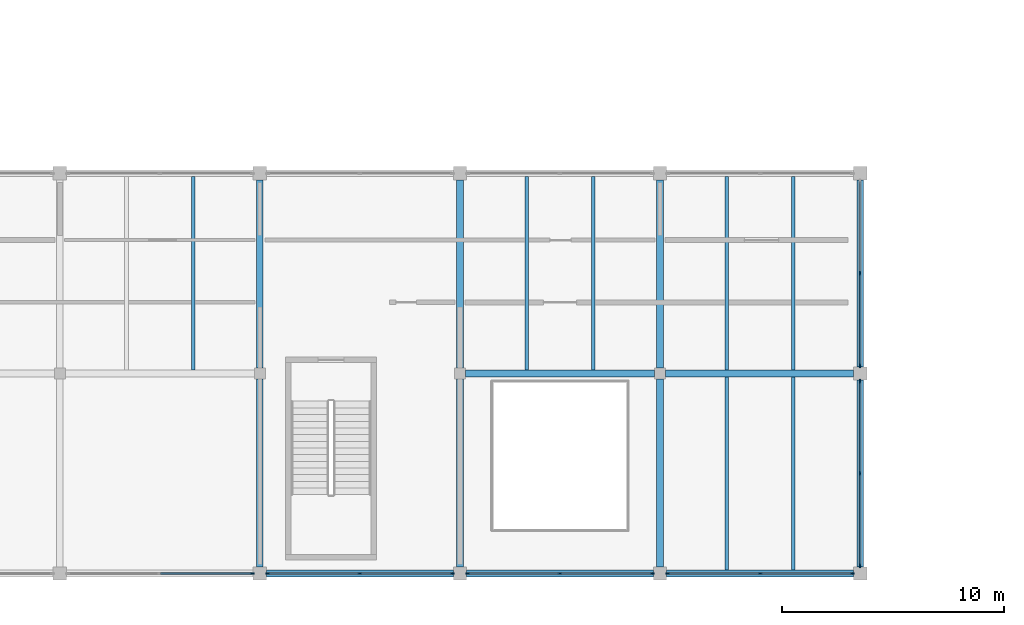
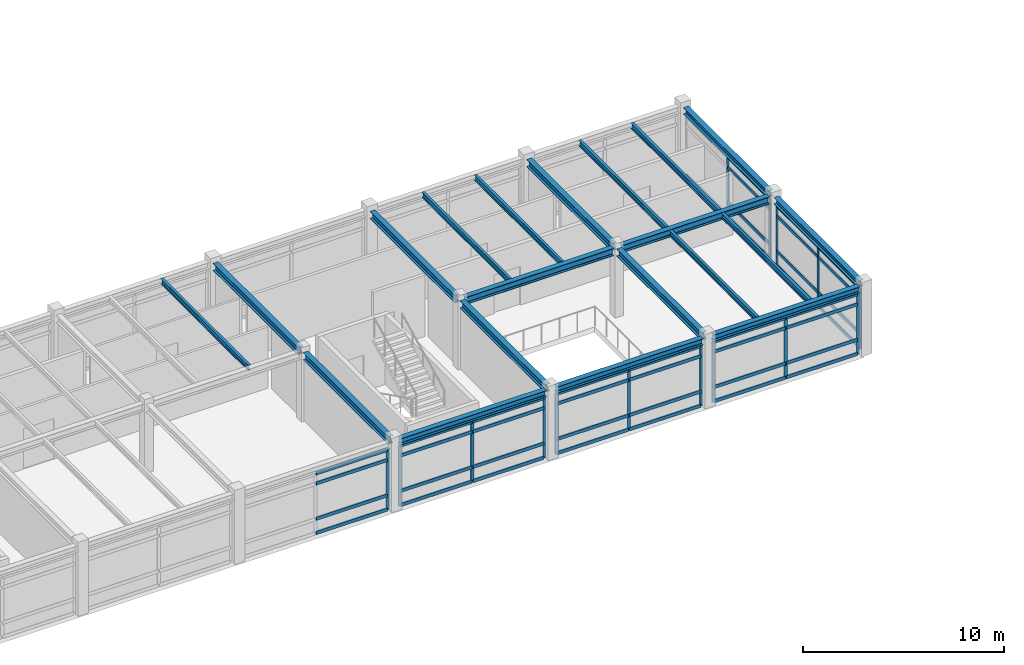
# One storey, part 8 of 33: 56 members, 20 beams, 6 elements without a shape of their own.
"""IFC4 building model written with IfcOpenShell, lengths in metres."""

from ifc_helpers import new_model, si_unit, direction, frame, origin, origin_2d, place, context, subcontext, project, spatial, rectangle, i_section, extrude, material, material_profile, profile_set, type_object, element, aggregate, save


model = new_model("IFC4")

# Units and contexts
model_context = context("Model", 3, precision=1e-05, world=origin(), true_north=direction((0.0, 1.0)))
body_context = subcontext(model_context, "Body", "Model", "MODEL_VIEW")
ifc_project = project(units=[si_unit("LENGTHUNIT", "METRE"), si_unit("AREAUNIT", "SQUARE_METRE"), si_unit("VOLUMEUNIT", "CUBIC_METRE"), si_unit("PLANEANGLEUNIT", "RADIAN"), si_unit("MASSUNIT", "GRAM", prefix="KILO")], contexts=[model_context])

# Site, building, storey
site_placement = place(None, origin())
site = spatial("IfcSite", under=ifc_project, at=site_placement, CompositionType="ELEMENT")
building_placement = place(site_placement, origin())
building = spatial("IfcBuilding", under=site, at=building_placement, Name="Bozkorgan Art Gallery", CompositionType="ELEMENT")
storey_placement = place(building_placement, frame((0.0, 0.0, 19.5)))
storey = spatial("IfcBuildingStorey", under=building, at=storey_placement, Name="L04", CompositionType="ELEMENT", Elevation=19.5)

# Beams
ifc_material_1 = material(Name="Steel S355J2", Category="steel")
ifc_material_profile_1 = material_profile(ifc_material_1, i_section(OverallWidth=0.300048828125, OverallDepth=0.449951171875, WebThickness=0.013916015625, FlangeThickness=0.02587890625, FilletRadius=0.027099609375, at=origin_2d()), Name="HEB 450")
ifc_profile_set_1 = profile_set([ifc_material_profile_1], Name="Steel S355J2")
beam_type_1 = type_object("IfcBeamType", Name="BEAM-BM-53", PredefinedType="BEAM", material=ifc_profile_set_1)
beam_placement = place(storey_placement, frame((47.25, 11.0, 3.955078125), z_axis=(1.0, 0.0, 0.0), x_axis=(0.0, 1.0, 0.0)))
element("IfcBeam", 1, at=beam_placement, inside=storey, type_object=beam_type_1, Name="V1 L04 beam X (47-56, 11.0)", PredefinedType="BEAM", context=body_context, shape_type="SweptSolid", body=[
    extrude(i_section(OverallWidth=0.300048828125, OverallDepth=0.449951171875, WebThickness=0.013916015625, FlangeThickness=0.02587890625, FilletRadius=0.027099609375, at=origin_2d()), origin(), (0.0, 0.0, 1.0), 8.5),
])
for number, where, z_axis, x_axis, name in (
    (2, (56.25, 11.0, 3.955078125), (1.0, 0.0, 0.0), (0.0, 1.0, 0.0), "V1 L04 beam X (56-65, 11.0)"),
    (3, (38.0, 2.300048828125, 3.955078125), (0.0, 1.0, 0.0), (-1.0, 0.0, 0.0), "V1 L04 beam Y (38, 2.0-11.0)"),
    (4, (38.0, 11.25, 3.955078125), (0.0, 1.0, 0.0), (-1.0, 0.0, 0.0), "V1 L04 beam Y (38, 11.0-20.0)"),
    (5, (47.0, 2.300048828125, 3.955078125), (0.0, 1.0, 0.0), (-1.0, 0.0, 0.0), "V1 L04 beam Y (47, 2.0-11.0)"),
    (6, (47.0, 11.25, 3.955078125), (0.0, 1.0, 0.0), (-1.0, 0.0, 0.0), "V1 L04 beam Y (47, 11.0-20.0)"),
    (7, (56.0, 2.300048828125, 3.955078125), (0.0, 1.0, 0.0), (-1.0, 0.0, 0.0), "V1 L04 beam Y (56, 2.0-11.0)"),
    (8, (56.0, 11.25, 3.955078125), (0.0, 1.0, 0.0), (-1.0, 0.0, 0.0), "V1 L04 beam Y (56, 11.0-20.0)"),
):
    element("IfcBeam", number, at=place(storey_placement, frame(where, z_axis=z_axis, x_axis=x_axis)), inside=storey, type_object=beam_type_1, Name=name, PredefinedType="BEAM", context=body_context, shape_type="SweptSolid", body=[
        extrude(i_section(OverallWidth=0.300048828125, OverallDepth=0.449951171875, WebThickness=0.013916015625, FlangeThickness=0.02587890625, FilletRadius=0.027099609375, at=origin_2d()), origin(), (0.0, 0.0, 1.0), 8.449951171875),
    ])
ifc_material_profile_2 = material_profile(ifc_material_1, i_section(OverallWidth=0.159912109375, OverallDepth=0.330078125, WebThickness=0.007568359375, FlangeThickness=0.011474609375, FilletRadius=0.01806640625, at=origin_2d()), Name="IPE 330")
ifc_profile_set_2 = profile_set([ifc_material_profile_2], Name="Steel S355J2")
beam_type_2 = type_object("IfcBeamType", Name="BEAM-JS-33", PredefinedType="JOIST", material=ifc_profile_set_2)
for number, where, z_axis, x_axis, name in (
    (9, (35.0, 11.14990234375, 4.014892578125), (0.0, 1.0, 0.0), (-1.0, 0.0, 0.0), "V1 L04 secondary joist (29-38, 11.0-20.0) #2"),
    (10, (50.0, 11.14990234375, 4.014892578125), (0.0, 1.0, 0.0), (-1.0, 0.0, 0.0), "V1 L04 secondary joist (47-56, 11.0-20.0) #1"),
    (11, (53.0, 11.14990234375, 4.014892578125), (0.0, 1.0, 0.0), (-1.0, 0.0, 0.0), "V1 L04 secondary joist (47-56, 11.0-20.0) #2"),
    (12, (59.0, 2.14990234375, 4.014892578125), (0.0, 1.0, 0.0), (-1.0, 0.0, 0.0), "V1 L04 secondary joist (56-65, 2.0-11.0) #1"),
    (13, (62.0, 2.14990234375, 4.014892578125), (0.0, 1.0, 0.0), (-1.0, 0.0, 0.0), "V1 L04 secondary joist (56-65, 2.0-11.0) #2"),
    (14, (59.0, 11.14990234375, 4.014892578125), (0.0, 1.0, 0.0), (-1.0, 0.0, 0.0), "V1 L04 secondary joist (56-65, 11.0-20.0) #1"),
    (15, (62.0, 11.14990234375, 4.014892578125), (0.0, 1.0, 0.0), (-1.0, 0.0, 0.0), "V1 L04 secondary joist (56-65, 11.0-20.0) #2"),
):
    element("IfcBeam", number, at=place(storey_placement, frame(where, z_axis=z_axis, x_axis=x_axis)), inside=storey, type_object=beam_type_2, Name=name, PredefinedType="JOIST", context=body_context, shape_type="SweptSolid", body=[
        extrude(i_section(OverallWidth=0.159912109375, OverallDepth=0.330078125, WebThickness=0.007568359375, FlangeThickness=0.011474609375, FilletRadius=0.01806640625, at=origin_2d()), origin(), (0.0, 0.0, 1.0), 8.7001953125),
    ])
ifc_material_profile_3 = material_profile(ifc_material_1, i_section(OverallWidth=0.300048828125, OverallDepth=0.389892578125, WebThickness=0.010986328125, FlangeThickness=0.01904296875, FilletRadius=0.027099609375, at=origin_2d()), Name="HEA 400")
ifc_profile_set_3 = profile_set([ifc_material_profile_3], Name="Steel S355J2")
beam_type_3 = type_object("IfcBeamType", Name="BEAM-SP-65", PredefinedType="SPANDREL", material=ifc_profile_set_3)
for number, where, z_axis, x_axis, name in (
    (16, (38.300048828125, 2.0, 3.985107421875), (1.0, 0.0, 0.0), (0.0, 1.0, 0.0), "V1 L04 spandrel X (38-47, 2.0)"),
    (17, (47.300048828125, 2.0, 3.985107421875), (1.0, 0.0, 0.0), (0.0, 1.0, 0.0), "V1 L04 spandrel X (47-56, 2.0)"),
    (18, (56.300048828125, 2.0, 3.985107421875), (1.0, 0.0, 0.0), (0.0, 1.0, 0.0), "V1 L04 spandrel X (56-65, 2.0)"),
    (19, (65.0, 2.300048828125, 3.985107421875), (0.0, 1.0, 0.0), (-1.0, 0.0, 0.0), "V1 L04 spandrel Y (65, 2.0-11.0)"),
    (20, (65.0, 11.300048828125, 3.985107421875), (0.0, 1.0, 0.0), (-1.0, 0.0, 0.0), "V1 L04 spandrel Y (65, 11.0-20.0)"),
):
    element("IfcBeam", number, at=place(storey_placement, frame(where, z_axis=z_axis, x_axis=x_axis)), inside=storey, type_object=beam_type_3, Name=name, PredefinedType="SPANDREL", context=body_context, shape_type="SweptSolid", body=[
        extrude(i_section(OverallWidth=0.300048828125, OverallDepth=0.389892578125, WebThickness=0.010986328125, FlangeThickness=0.01904296875, FilletRadius=0.027099609375, at=origin_2d()), origin(), (0.0, 0.0, 1.0), 8.39990234375),
    ])

# Curtain wall, member
ifc_material_2 = material(Name="Anodised Bronze Aluminium", Category="aluminium")
curtain_wall_type = type_object("IfcCurtainWallType", Name="CW-CW-71", PredefinedType="NOTDEFINED", material=ifc_material_2)
curtain_wall_1_placement = place(storey_placement, origin())
curtain_wall_1 = element("IfcCurtainWall", 21, at=curtain_wall_1_placement, inside=storey, type_object=curtain_wall_type, Name="L04 unitised curtain wall CW-V1-L04-1S-07", PredefinedType="NOTDEFINED")
ifc_material_profile_4 = material_profile(ifc_material_2, rectangle(XDim=0.06494140625, YDim=0.179931640625, at=origin_2d()), Name="ALU MULLION 65x180")
ifc_profile_set_4 = profile_set([ifc_material_profile_4], Name="Anodised Bronze Aluminium")
member_type_1 = type_object("IfcMemberType", Name="CWM-01", PredefinedType="MULLION", material=ifc_profile_set_4)
member_1_placement = place(storey_placement, frame((37.652587890625, 2.0, 0.02001953125), z_axis=(0.0, 0.0, 1.0), x_axis=(0.0, 1.0, 0.0)))
member_1 = element("IfcMember", 22, at=member_1_placement, type_object=member_type_1, Name="CW-71 mullion 3", PredefinedType="MULLION", context=body_context, shape_type="SweptSolid", body=[
    extrude(rectangle(XDim=0.06494140625, YDim=0.179931640625, at=origin_2d()), origin(), (0.0, 0.0, 1.0), 3.695068359375),
])

# Curtain wall, members
curtain_wall_2_placement = place(storey_placement, origin())
curtain_wall_2 = element("IfcCurtainWall", 23, at=curtain_wall_2_placement, inside=storey, type_object=curtain_wall_type, Name="L04 unitised curtain wall CW-V1-L04-1S-09", PredefinedType="NOTDEFINED")
member_2_placement = place(storey_placement, frame((38.347412109375, 2.0, 0.02001953125), z_axis=(0.0, 0.0, 1.0), x_axis=(0.0, 1.0, 0.0)))
member_2 = element("IfcMember", 24, at=member_2_placement, type_object=member_type_1, Name="CW-71 mullion 1", PredefinedType="MULLION", context=body_context, shape_type="SweptSolid", body=[
    extrude(rectangle(XDim=0.06494140625, YDim=0.179931640625, at=origin_2d()), origin(), (0.0, 0.0, 1.0), 3.695068359375),
])
member_3_placement = place(storey_placement, frame((42.5, 2.0, 0.02001953125), z_axis=(0.0, 0.0, 1.0), x_axis=(0.0, 1.0, 0.0)))
member_3 = element("IfcMember", 25, at=member_3_placement, type_object=member_type_1, Name="CW-71 mullion 2", PredefinedType="MULLION", context=body_context, shape_type="SweptSolid", body=[
    extrude(rectangle(XDim=0.06494140625, YDim=0.179931640625, at=origin_2d()), origin(), (0.0, 0.0, 1.0), 3.695068359375),
])
member_4_placement = place(storey_placement, frame((46.652587890625, 2.0, 0.02001953125), z_axis=(0.0, 0.0, 1.0), x_axis=(0.0, 1.0, 0.0)))
member_4 = element("IfcMember", 26, at=member_4_placement, type_object=member_type_1, Name="CW-71 mullion 3", PredefinedType="MULLION", context=body_context, shape_type="SweptSolid", body=[
    extrude(rectangle(XDim=0.06494140625, YDim=0.179931640625, at=origin_2d()), origin(), (0.0, 0.0, 1.0), 3.695068359375),
])

curtain_wall_3_placement = place(storey_placement, origin())
curtain_wall_3 = element("IfcCurtainWall", 27, at=curtain_wall_3_placement, inside=storey, type_object=curtain_wall_type, Name="L04 unitised curtain wall CW-V1-L04-1S-11", PredefinedType="NOTDEFINED")
member_5_placement = place(storey_placement, frame((47.347412109375, 2.0, 0.02001953125), z_axis=(0.0, 0.0, 1.0), x_axis=(0.0, 1.0, 0.0)))
member_5 = element("IfcMember", 28, at=member_5_placement, type_object=member_type_1, Name="CW-71 mullion 1", PredefinedType="MULLION", context=body_context, shape_type="SweptSolid", body=[
    extrude(rectangle(XDim=0.06494140625, YDim=0.179931640625, at=origin_2d()), origin(), (0.0, 0.0, 1.0), 3.695068359375),
])
member_6_placement = place(storey_placement, frame((51.5, 2.0, 0.02001953125), z_axis=(0.0, 0.0, 1.0), x_axis=(0.0, 1.0, 0.0)))
member_6 = element("IfcMember", 29, at=member_6_placement, type_object=member_type_1, Name="CW-71 mullion 2", PredefinedType="MULLION", context=body_context, shape_type="SweptSolid", body=[
    extrude(rectangle(XDim=0.06494140625, YDim=0.179931640625, at=origin_2d()), origin(), (0.0, 0.0, 1.0), 3.695068359375),
])
member_7_placement = place(storey_placement, frame((55.652587890625, 2.0, 0.02001953125), z_axis=(0.0, 0.0, 1.0), x_axis=(0.0, 1.0, 0.0)))
member_7 = element("IfcMember", 30, at=member_7_placement, type_object=member_type_1, Name="CW-71 mullion 3", PredefinedType="MULLION", context=body_context, shape_type="SweptSolid", body=[
    extrude(rectangle(XDim=0.06494140625, YDim=0.179931640625, at=origin_2d()), origin(), (0.0, 0.0, 1.0), 3.695068359375),
])

curtain_wall_4_placement = place(storey_placement, origin())
curtain_wall_4 = element("IfcCurtainWall", 31, at=curtain_wall_4_placement, inside=storey, type_object=curtain_wall_type, Name="L04 unitised curtain wall CW-V1-L04-1S-13", PredefinedType="NOTDEFINED")
member_8_placement = place(storey_placement, frame((56.347412109375, 2.0, 0.02001953125), z_axis=(0.0, 0.0, 1.0), x_axis=(0.0, 1.0, 0.0)))
member_8 = element("IfcMember", 32, at=member_8_placement, type_object=member_type_1, Name="CW-71 mullion 1", PredefinedType="MULLION", context=body_context, shape_type="SweptSolid", body=[
    extrude(rectangle(XDim=0.06494140625, YDim=0.179931640625, at=origin_2d()), origin(), (0.0, 0.0, 1.0), 3.695068359375),
])
member_9_placement = place(storey_placement, frame((60.5, 2.0, 0.02001953125), z_axis=(0.0, 0.0, 1.0), x_axis=(0.0, 1.0, 0.0)))
member_9 = element("IfcMember", 33, at=member_9_placement, type_object=member_type_1, Name="CW-71 mullion 2", PredefinedType="MULLION", context=body_context, shape_type="SweptSolid", body=[
    extrude(rectangle(XDim=0.06494140625, YDim=0.179931640625, at=origin_2d()), origin(), (0.0, 0.0, 1.0), 3.695068359375),
])
member_10_placement = place(storey_placement, frame((64.652587890625, 2.0, 0.02001953125), z_axis=(0.0, 0.0, 1.0), x_axis=(0.0, 1.0, 0.0)))
member_10 = element("IfcMember", 34, at=member_10_placement, type_object=member_type_1, Name="CW-71 mullion 3", PredefinedType="MULLION", context=body_context, shape_type="SweptSolid", body=[
    extrude(rectangle(XDim=0.06494140625, YDim=0.179931640625, at=origin_2d()), origin(), (0.0, 0.0, 1.0), 3.695068359375),
])

curtain_wall_5_placement = place(storey_placement, origin())
curtain_wall_5 = element("IfcCurtainWall", 35, at=curtain_wall_5_placement, inside=storey, type_object=curtain_wall_type, Name="L04 unitised curtain wall CW-V1-L04-1E-16", PredefinedType="NOTDEFINED")
member_11_placement = place(storey_placement, frame((65.0, 2.347412109375, 0.02001953125), z_axis=(0.0, 0.0, 1.0), x_axis=(-1.0, 0.0, 0.0)))
member_11 = element("IfcMember", 36, at=member_11_placement, type_object=member_type_1, Name="CW-71 mullion 1", PredefinedType="MULLION", context=body_context, shape_type="SweptSolid", body=[
    extrude(rectangle(XDim=0.06494140625, YDim=0.179931640625, at=origin_2d()), origin(), (0.0, 0.0, 1.0), 3.695068359375),
])
member_12_placement = place(storey_placement, frame((65.0, 6.5, 0.02001953125), z_axis=(0.0, 0.0, 1.0), x_axis=(-1.0, 0.0, 0.0)))
member_12 = element("IfcMember", 37, at=member_12_placement, type_object=member_type_1, Name="CW-71 mullion 2", PredefinedType="MULLION", context=body_context, shape_type="SweptSolid", body=[
    extrude(rectangle(XDim=0.06494140625, YDim=0.179931640625, at=origin_2d()), origin(), (0.0, 0.0, 1.0), 3.695068359375),
])
member_13_placement = place(storey_placement, frame((65.0, 10.652587890625, 0.02001953125), z_axis=(0.0, 0.0, 1.0), x_axis=(-1.0, 0.0, 0.0)))
member_13 = element("IfcMember", 38, at=member_13_placement, type_object=member_type_1, Name="CW-71 mullion 3", PredefinedType="MULLION", context=body_context, shape_type="SweptSolid", body=[
    extrude(rectangle(XDim=0.06494140625, YDim=0.179931640625, at=origin_2d()), origin(), (0.0, 0.0, 1.0), 3.695068359375),
])

curtain_wall_6_placement = place(storey_placement, origin())
curtain_wall_6 = element("IfcCurtainWall", 39, at=curtain_wall_6_placement, inside=storey, type_object=curtain_wall_type, Name="L04 unitised curtain wall CW-V1-L04-1E-18", PredefinedType="NOTDEFINED")
member_14_placement = place(storey_placement, frame((65.0, 11.347412109375, 0.02001953125), z_axis=(0.0, 0.0, 1.0), x_axis=(-1.0, 0.0, 0.0)))
member_14 = element("IfcMember", 40, at=member_14_placement, type_object=member_type_1, Name="CW-71 mullion 1", PredefinedType="MULLION", context=body_context, shape_type="SweptSolid", body=[
    extrude(rectangle(XDim=0.06494140625, YDim=0.179931640625, at=origin_2d()), origin(), (0.0, 0.0, 1.0), 3.695068359375),
])
member_15_placement = place(storey_placement, frame((65.0, 15.5, 0.02001953125), z_axis=(0.0, 0.0, 1.0), x_axis=(-1.0, 0.0, 0.0)))
member_15 = element("IfcMember", 41, at=member_15_placement, type_object=member_type_1, Name="CW-71 mullion 2", PredefinedType="MULLION", context=body_context, shape_type="SweptSolid", body=[
    extrude(rectangle(XDim=0.06494140625, YDim=0.179931640625, at=origin_2d()), origin(), (0.0, 0.0, 1.0), 3.695068359375),
])

# Member
ifc_material_profile_5 = material_profile(ifc_material_2, rectangle(XDim=0.080078125, YDim=0.199951171875, at=origin_2d()), Name="ALU TRANSOM 80x200")
ifc_profile_set_5 = profile_set([ifc_material_profile_5], Name="Anodised Bronze Aluminium")
member_type_2 = type_object("IfcMemberType", Name="CWT-03", PredefinedType="USERDEFINED", material=ifc_profile_set_5)
member_16_placement = place(storey_placement, frame((33.532470703125, 2.0, 0.06005859375), z_axis=(1.0, 0.0, 0.0), x_axis=(0.0, 1.0, 0.0)))
member_16 = element("IfcMember", 42, at=member_16_placement, type_object=member_type_2, Name="CW-71 transom 2.1", ObjectType="TRANSOM", PredefinedType="USERDEFINED", context=body_context, shape_type="SweptSolid", body=[
    extrude(rectangle(XDim=0.080078125, YDim=0.199951171875, at=origin_2d()), origin(), (0.0, 0.0, 1.0), 4.087646484375),
])

member_17_placement = place(storey_placement, frame((33.532470703125, 2.0, 0.919921875), z_axis=(1.0, 0.0, 0.0), x_axis=(0.0, 1.0, 0.0)))
member_17 = element("IfcMember", 43, at=member_17_placement, type_object=member_type_2, Name="CW-71 transom 2.2", ObjectType="TRANSOM", PredefinedType="USERDEFINED", context=body_context, shape_type="SweptSolid", body=[
    extrude(rectangle(XDim=0.080078125, YDim=0.199951171875, at=origin_2d()), origin(), (0.0, 0.0, 1.0), 4.087646484375),
])

member_18_placement = place(storey_placement, frame((33.532470703125, 2.0, 3.06494140625), z_axis=(1.0, 0.0, 0.0), x_axis=(0.0, 1.0, 0.0)))
member_18 = element("IfcMember", 44, at=member_18_placement, type_object=member_type_2, Name="CW-71 transom 2.3", ObjectType="TRANSOM", PredefinedType="USERDEFINED", context=body_context, shape_type="SweptSolid", body=[
    extrude(rectangle(XDim=0.080078125, YDim=0.199951171875, at=origin_2d()), origin(), (0.0, 0.0, 1.0), 4.087646484375),
])

member_19_placement = place(storey_placement, frame((33.532470703125, 2.0, 3.675048828125), z_axis=(1.0, 0.0, 0.0), x_axis=(0.0, 1.0, 0.0)))
member_19 = element("IfcMember", 45, at=member_19_placement, type_object=member_type_2, Name="CW-71 transom 2.4", ObjectType="TRANSOM", PredefinedType="USERDEFINED", context=body_context, shape_type="SweptSolid", body=[
    extrude(rectangle(XDim=0.080078125, YDim=0.199951171875, at=origin_2d()), origin(), (0.0, 0.0, 1.0), 4.087646484375),
])

aggregate(curtain_wall_1, [member_1, member_16, member_17, member_18, member_19])

member_20_placement = place(storey_placement, frame((38.3798828125, 2.0, 0.06005859375), z_axis=(1.0, 0.0, 0.0), x_axis=(0.0, 1.0, 0.0)))
member_20 = element("IfcMember", 46, at=member_20_placement, type_object=member_type_2, Name="CW-71 transom 1.1", ObjectType="TRANSOM", PredefinedType="USERDEFINED", context=body_context, shape_type="SweptSolid", body=[
    extrude(rectangle(XDim=0.080078125, YDim=0.199951171875, at=origin_2d()), origin(), (0.0, 0.0, 1.0), 4.087646484375),
])

member_21_placement = place(storey_placement, frame((38.3798828125, 2.0, 0.919921875), z_axis=(1.0, 0.0, 0.0), x_axis=(0.0, 1.0, 0.0)))
member_21 = element("IfcMember", 47, at=member_21_placement, type_object=member_type_2, Name="CW-71 transom 1.2", ObjectType="TRANSOM", PredefinedType="USERDEFINED", context=body_context, shape_type="SweptSolid", body=[
    extrude(rectangle(XDim=0.080078125, YDim=0.199951171875, at=origin_2d()), origin(), (0.0, 0.0, 1.0), 4.087646484375),
])

member_22_placement = place(storey_placement, frame((38.3798828125, 2.0, 3.06494140625), z_axis=(1.0, 0.0, 0.0), x_axis=(0.0, 1.0, 0.0)))
member_22 = element("IfcMember", 48, at=member_22_placement, type_object=member_type_2, Name="CW-71 transom 1.3", ObjectType="TRANSOM", PredefinedType="USERDEFINED", context=body_context, shape_type="SweptSolid", body=[
    extrude(rectangle(XDim=0.080078125, YDim=0.199951171875, at=origin_2d()), origin(), (0.0, 0.0, 1.0), 4.087646484375),
])

member_23_placement = place(storey_placement, frame((38.3798828125, 2.0, 3.675048828125), z_axis=(1.0, 0.0, 0.0), x_axis=(0.0, 1.0, 0.0)))
member_23 = element("IfcMember", 49, at=member_23_placement, type_object=member_type_2, Name="CW-71 transom 1.4", ObjectType="TRANSOM", PredefinedType="USERDEFINED", context=body_context, shape_type="SweptSolid", body=[
    extrude(rectangle(XDim=0.080078125, YDim=0.199951171875, at=origin_2d()), origin(), (0.0, 0.0, 1.0), 4.087646484375),
])

member_24_placement = place(storey_placement, frame((42.532470703125, 2.0, 0.06005859375), z_axis=(1.0, 0.0, 0.0), x_axis=(0.0, 1.0, 0.0)))
member_24 = element("IfcMember", 50, at=member_24_placement, type_object=member_type_2, Name="CW-71 transom 2.1", ObjectType="TRANSOM", PredefinedType="USERDEFINED", context=body_context, shape_type="SweptSolid", body=[
    extrude(rectangle(XDim=0.080078125, YDim=0.199951171875, at=origin_2d()), origin(), (0.0, 0.0, 1.0), 4.087646484375),
])

member_25_placement = place(storey_placement, frame((42.532470703125, 2.0, 0.919921875), z_axis=(1.0, 0.0, 0.0), x_axis=(0.0, 1.0, 0.0)))
member_25 = element("IfcMember", 51, at=member_25_placement, type_object=member_type_2, Name="CW-71 transom 2.2", ObjectType="TRANSOM", PredefinedType="USERDEFINED", context=body_context, shape_type="SweptSolid", body=[
    extrude(rectangle(XDim=0.080078125, YDim=0.199951171875, at=origin_2d()), origin(), (0.0, 0.0, 1.0), 4.087646484375),
])

member_26_placement = place(storey_placement, frame((42.532470703125, 2.0, 3.06494140625), z_axis=(1.0, 0.0, 0.0), x_axis=(0.0, 1.0, 0.0)))
member_26 = element("IfcMember", 52, at=member_26_placement, type_object=member_type_2, Name="CW-71 transom 2.3", ObjectType="TRANSOM", PredefinedType="USERDEFINED", context=body_context, shape_type="SweptSolid", body=[
    extrude(rectangle(XDim=0.080078125, YDim=0.199951171875, at=origin_2d()), origin(), (0.0, 0.0, 1.0), 4.087646484375),
])

member_27_placement = place(storey_placement, frame((42.532470703125, 2.0, 3.675048828125), z_axis=(1.0, 0.0, 0.0), x_axis=(0.0, 1.0, 0.0)))
member_27 = element("IfcMember", 53, at=member_27_placement, type_object=member_type_2, Name="CW-71 transom 2.4", ObjectType="TRANSOM", PredefinedType="USERDEFINED", context=body_context, shape_type="SweptSolid", body=[
    extrude(rectangle(XDim=0.080078125, YDim=0.199951171875, at=origin_2d()), origin(), (0.0, 0.0, 1.0), 4.087646484375),
])

aggregate(curtain_wall_2, [member_2, member_3, member_4, member_20, member_21, member_22, member_23, member_24, member_25, member_26, member_27])

member_28_placement = place(storey_placement, frame((47.3798828125, 2.0, 0.06005859375), z_axis=(1.0, 0.0, 0.0), x_axis=(0.0, 1.0, 0.0)))
member_28 = element("IfcMember", 54, at=member_28_placement, type_object=member_type_2, Name="CW-71 transom 1.1", ObjectType="TRANSOM", PredefinedType="USERDEFINED", context=body_context, shape_type="SweptSolid", body=[
    extrude(rectangle(XDim=0.080078125, YDim=0.199951171875, at=origin_2d()), origin(), (0.0, 0.0, 1.0), 4.087646484375),
])

member_29_placement = place(storey_placement, frame((47.3798828125, 2.0, 0.919921875), z_axis=(1.0, 0.0, 0.0), x_axis=(0.0, 1.0, 0.0)))
member_29 = element("IfcMember", 55, at=member_29_placement, type_object=member_type_2, Name="CW-71 transom 1.2", ObjectType="TRANSOM", PredefinedType="USERDEFINED", context=body_context, shape_type="SweptSolid", body=[
    extrude(rectangle(XDim=0.080078125, YDim=0.199951171875, at=origin_2d()), origin(), (0.0, 0.0, 1.0), 4.087646484375),
])

member_30_placement = place(storey_placement, frame((47.3798828125, 2.0, 3.06494140625), z_axis=(1.0, 0.0, 0.0), x_axis=(0.0, 1.0, 0.0)))
member_30 = element("IfcMember", 56, at=member_30_placement, type_object=member_type_2, Name="CW-71 transom 1.3", ObjectType="TRANSOM", PredefinedType="USERDEFINED", context=body_context, shape_type="SweptSolid", body=[
    extrude(rectangle(XDim=0.080078125, YDim=0.199951171875, at=origin_2d()), origin(), (0.0, 0.0, 1.0), 4.087646484375),
])

member_31_placement = place(storey_placement, frame((47.3798828125, 2.0, 3.675048828125), z_axis=(1.0, 0.0, 0.0), x_axis=(0.0, 1.0, 0.0)))
member_31 = element("IfcMember", 57, at=member_31_placement, type_object=member_type_2, Name="CW-71 transom 1.4", ObjectType="TRANSOM", PredefinedType="USERDEFINED", context=body_context, shape_type="SweptSolid", body=[
    extrude(rectangle(XDim=0.080078125, YDim=0.199951171875, at=origin_2d()), origin(), (0.0, 0.0, 1.0), 4.087646484375),
])

member_32_placement = place(storey_placement, frame((51.532470703125, 2.0, 0.06005859375), z_axis=(1.0, 0.0, 0.0), x_axis=(0.0, 1.0, 0.0)))
member_32 = element("IfcMember", 58, at=member_32_placement, type_object=member_type_2, Name="CW-71 transom 2.1", ObjectType="TRANSOM", PredefinedType="USERDEFINED", context=body_context, shape_type="SweptSolid", body=[
    extrude(rectangle(XDim=0.080078125, YDim=0.199951171875, at=origin_2d()), origin(), (0.0, 0.0, 1.0), 4.087646484375),
])

member_33_placement = place(storey_placement, frame((51.532470703125, 2.0, 0.919921875), z_axis=(1.0, 0.0, 0.0), x_axis=(0.0, 1.0, 0.0)))
member_33 = element("IfcMember", 59, at=member_33_placement, type_object=member_type_2, Name="CW-71 transom 2.2", ObjectType="TRANSOM", PredefinedType="USERDEFINED", context=body_context, shape_type="SweptSolid", body=[
    extrude(rectangle(XDim=0.080078125, YDim=0.199951171875, at=origin_2d()), origin(), (0.0, 0.0, 1.0), 4.087646484375),
])

member_34_placement = place(storey_placement, frame((51.532470703125, 2.0, 3.06494140625), z_axis=(1.0, 0.0, 0.0), x_axis=(0.0, 1.0, 0.0)))
member_34 = element("IfcMember", 60, at=member_34_placement, type_object=member_type_2, Name="CW-71 transom 2.3", ObjectType="TRANSOM", PredefinedType="USERDEFINED", context=body_context, shape_type="SweptSolid", body=[
    extrude(rectangle(XDim=0.080078125, YDim=0.199951171875, at=origin_2d()), origin(), (0.0, 0.0, 1.0), 4.087646484375),
])

member_35_placement = place(storey_placement, frame((51.532470703125, 2.0, 3.675048828125), z_axis=(1.0, 0.0, 0.0), x_axis=(0.0, 1.0, 0.0)))
member_35 = element("IfcMember", 61, at=member_35_placement, type_object=member_type_2, Name="CW-71 transom 2.4", ObjectType="TRANSOM", PredefinedType="USERDEFINED", context=body_context, shape_type="SweptSolid", body=[
    extrude(rectangle(XDim=0.080078125, YDim=0.199951171875, at=origin_2d()), origin(), (0.0, 0.0, 1.0), 4.087646484375),
])

aggregate(curtain_wall_3, [member_5, member_6, member_7, member_28, member_29, member_30, member_31, member_32, member_33, member_34, member_35])

member_36_placement = place(storey_placement, frame((56.3798828125, 2.0, 0.06005859375), z_axis=(1.0, 0.0, 0.0), x_axis=(0.0, 1.0, 0.0)))
member_36 = element("IfcMember", 62, at=member_36_placement, type_object=member_type_2, Name="CW-71 transom 1.1", ObjectType="TRANSOM", PredefinedType="USERDEFINED", context=body_context, shape_type="SweptSolid", body=[
    extrude(rectangle(XDim=0.080078125, YDim=0.199951171875, at=origin_2d()), origin(), (0.0, 0.0, 1.0), 4.087646484375),
])

member_37_placement = place(storey_placement, frame((56.3798828125, 2.0, 0.919921875), z_axis=(1.0, 0.0, 0.0), x_axis=(0.0, 1.0, 0.0)))
member_37 = element("IfcMember", 63, at=member_37_placement, type_object=member_type_2, Name="CW-71 transom 1.2", ObjectType="TRANSOM", PredefinedType="USERDEFINED", context=body_context, shape_type="SweptSolid", body=[
    extrude(rectangle(XDim=0.080078125, YDim=0.199951171875, at=origin_2d()), origin(), (0.0, 0.0, 1.0), 4.087646484375),
])

member_38_placement = place(storey_placement, frame((56.3798828125, 2.0, 3.06494140625), z_axis=(1.0, 0.0, 0.0), x_axis=(0.0, 1.0, 0.0)))
member_38 = element("IfcMember", 64, at=member_38_placement, type_object=member_type_2, Name="CW-71 transom 1.3", ObjectType="TRANSOM", PredefinedType="USERDEFINED", context=body_context, shape_type="SweptSolid", body=[
    extrude(rectangle(XDim=0.080078125, YDim=0.199951171875, at=origin_2d()), origin(), (0.0, 0.0, 1.0), 4.087646484375),
])

member_39_placement = place(storey_placement, frame((56.3798828125, 2.0, 3.675048828125), z_axis=(1.0, 0.0, 0.0), x_axis=(0.0, 1.0, 0.0)))
member_39 = element("IfcMember", 65, at=member_39_placement, type_object=member_type_2, Name="CW-71 transom 1.4", ObjectType="TRANSOM", PredefinedType="USERDEFINED", context=body_context, shape_type="SweptSolid", body=[
    extrude(rectangle(XDim=0.080078125, YDim=0.199951171875, at=origin_2d()), origin(), (0.0, 0.0, 1.0), 4.087646484375),
])

member_40_placement = place(storey_placement, frame((60.532470703125, 2.0, 0.06005859375), z_axis=(1.0, 0.0, 0.0), x_axis=(0.0, 1.0, 0.0)))
member_40 = element("IfcMember", 66, at=member_40_placement, type_object=member_type_2, Name="CW-71 transom 2.1", ObjectType="TRANSOM", PredefinedType="USERDEFINED", context=body_context, shape_type="SweptSolid", body=[
    extrude(rectangle(XDim=0.080078125, YDim=0.199951171875, at=origin_2d()), origin(), (0.0, 0.0, 1.0), 4.087646484375),
])

member_41_placement = place(storey_placement, frame((60.532470703125, 2.0, 0.919921875), z_axis=(1.0, 0.0, 0.0), x_axis=(0.0, 1.0, 0.0)))
member_41 = element("IfcMember", 67, at=member_41_placement, type_object=member_type_2, Name="CW-71 transom 2.2", ObjectType="TRANSOM", PredefinedType="USERDEFINED", context=body_context, shape_type="SweptSolid", body=[
    extrude(rectangle(XDim=0.080078125, YDim=0.199951171875, at=origin_2d()), origin(), (0.0, 0.0, 1.0), 4.087646484375),
])

member_42_placement = place(storey_placement, frame((60.532470703125, 2.0, 3.06494140625), z_axis=(1.0, 0.0, 0.0), x_axis=(0.0, 1.0, 0.0)))
member_42 = element("IfcMember", 68, at=member_42_placement, type_object=member_type_2, Name="CW-71 transom 2.3", ObjectType="TRANSOM", PredefinedType="USERDEFINED", context=body_context, shape_type="SweptSolid", body=[
    extrude(rectangle(XDim=0.080078125, YDim=0.199951171875, at=origin_2d()), origin(), (0.0, 0.0, 1.0), 4.087646484375),
])

member_43_placement = place(storey_placement, frame((60.532470703125, 2.0, 3.675048828125), z_axis=(1.0, 0.0, 0.0), x_axis=(0.0, 1.0, 0.0)))
member_43 = element("IfcMember", 69, at=member_43_placement, type_object=member_type_2, Name="CW-71 transom 2.4", ObjectType="TRANSOM", PredefinedType="USERDEFINED", context=body_context, shape_type="SweptSolid", body=[
    extrude(rectangle(XDim=0.080078125, YDim=0.199951171875, at=origin_2d()), origin(), (0.0, 0.0, 1.0), 4.087646484375),
])

aggregate(curtain_wall_4, [member_8, member_9, member_10, member_36, member_37, member_38, member_39, member_40, member_41, member_42, member_43])

member_44_placement = place(storey_placement, frame((65.0, 2.3798828125, 0.06005859375), z_axis=(0.0, 1.0, 0.0), x_axis=(-1.0, 0.0, 0.0)))
member_44 = element("IfcMember", 70, at=member_44_placement, type_object=member_type_2, Name="CW-71 transom 1.1", ObjectType="TRANSOM", PredefinedType="USERDEFINED", context=body_context, shape_type="SweptSolid", body=[
    extrude(rectangle(XDim=0.080078125, YDim=0.199951171875, at=origin_2d()), origin(), (0.0, 0.0, 1.0), 4.087646484375),
])

member_45_placement = place(storey_placement, frame((65.0, 2.3798828125, 0.919921875), z_axis=(0.0, 1.0, 0.0), x_axis=(-1.0, 0.0, 0.0)))
member_45 = element("IfcMember", 71, at=member_45_placement, type_object=member_type_2, Name="CW-71 transom 1.2", ObjectType="TRANSOM", PredefinedType="USERDEFINED", context=body_context, shape_type="SweptSolid", body=[
    extrude(rectangle(XDim=0.080078125, YDim=0.199951171875, at=origin_2d()), origin(), (0.0, 0.0, 1.0), 4.087646484375),
])

member_46_placement = place(storey_placement, frame((65.0, 2.3798828125, 3.06494140625), z_axis=(0.0, 1.0, 0.0), x_axis=(-1.0, 0.0, 0.0)))
member_46 = element("IfcMember", 72, at=member_46_placement, type_object=member_type_2, Name="CW-71 transom 1.3", ObjectType="TRANSOM", PredefinedType="USERDEFINED", context=body_context, shape_type="SweptSolid", body=[
    extrude(rectangle(XDim=0.080078125, YDim=0.199951171875, at=origin_2d()), origin(), (0.0, 0.0, 1.0), 4.087646484375),
])

member_47_placement = place(storey_placement, frame((65.0, 2.3798828125, 3.675048828125), z_axis=(0.0, 1.0, 0.0), x_axis=(-1.0, 0.0, 0.0)))
member_47 = element("IfcMember", 73, at=member_47_placement, type_object=member_type_2, Name="CW-71 transom 1.4", ObjectType="TRANSOM", PredefinedType="USERDEFINED", context=body_context, shape_type="SweptSolid", body=[
    extrude(rectangle(XDim=0.080078125, YDim=0.199951171875, at=origin_2d()), origin(), (0.0, 0.0, 1.0), 4.087646484375),
])

member_48_placement = place(storey_placement, frame((65.0, 6.532470703125, 0.06005859375), z_axis=(0.0, 1.0, 0.0), x_axis=(-1.0, 0.0, 0.0)))
member_48 = element("IfcMember", 74, at=member_48_placement, type_object=member_type_2, Name="CW-71 transom 2.1", ObjectType="TRANSOM", PredefinedType="USERDEFINED", context=body_context, shape_type="SweptSolid", body=[
    extrude(rectangle(XDim=0.080078125, YDim=0.199951171875, at=origin_2d()), origin(), (0.0, 0.0, 1.0), 4.087646484375),
])

member_49_placement = place(storey_placement, frame((65.0, 6.532470703125, 0.919921875), z_axis=(0.0, 1.0, 0.0), x_axis=(-1.0, 0.0, 0.0)))
member_49 = element("IfcMember", 75, at=member_49_placement, type_object=member_type_2, Name="CW-71 transom 2.2", ObjectType="TRANSOM", PredefinedType="USERDEFINED", context=body_context, shape_type="SweptSolid", body=[
    extrude(rectangle(XDim=0.080078125, YDim=0.199951171875, at=origin_2d()), origin(), (0.0, 0.0, 1.0), 4.087646484375),
])

member_50_placement = place(storey_placement, frame((65.0, 6.532470703125, 3.06494140625), z_axis=(0.0, 1.0, 0.0), x_axis=(-1.0, 0.0, 0.0)))
member_50 = element("IfcMember", 76, at=member_50_placement, type_object=member_type_2, Name="CW-71 transom 2.3", ObjectType="TRANSOM", PredefinedType="USERDEFINED", context=body_context, shape_type="SweptSolid", body=[
    extrude(rectangle(XDim=0.080078125, YDim=0.199951171875, at=origin_2d()), origin(), (0.0, 0.0, 1.0), 4.087646484375),
])

member_51_placement = place(storey_placement, frame((65.0, 6.532470703125, 3.675048828125), z_axis=(0.0, 1.0, 0.0), x_axis=(-1.0, 0.0, 0.0)))
member_51 = element("IfcMember", 77, at=member_51_placement, type_object=member_type_2, Name="CW-71 transom 2.4", ObjectType="TRANSOM", PredefinedType="USERDEFINED", context=body_context, shape_type="SweptSolid", body=[
    extrude(rectangle(XDim=0.080078125, YDim=0.199951171875, at=origin_2d()), origin(), (0.0, 0.0, 1.0), 4.087646484375),
])

aggregate(curtain_wall_5, [member_11, member_12, member_13, member_44, member_45, member_46, member_47, member_48, member_49, member_50, member_51])

member_52_placement = place(storey_placement, frame((65.0, 11.3798828125, 0.06005859375), z_axis=(0.0, 1.0, 0.0), x_axis=(-1.0, 0.0, 0.0)))
member_52 = element("IfcMember", 78, at=member_52_placement, type_object=member_type_2, Name="CW-71 transom 1.1", ObjectType="TRANSOM", PredefinedType="USERDEFINED", context=body_context, shape_type="SweptSolid", body=[
    extrude(rectangle(XDim=0.080078125, YDim=0.199951171875, at=origin_2d()), origin(), (0.0, 0.0, 1.0), 4.087646484375),
])

member_53_placement = place(storey_placement, frame((65.0, 11.3798828125, 0.919921875), z_axis=(0.0, 1.0, 0.0), x_axis=(-1.0, 0.0, 0.0)))
member_53 = element("IfcMember", 79, at=member_53_placement, type_object=member_type_2, Name="CW-71 transom 1.2", ObjectType="TRANSOM", PredefinedType="USERDEFINED", context=body_context, shape_type="SweptSolid", body=[
    extrude(rectangle(XDim=0.080078125, YDim=0.199951171875, at=origin_2d()), origin(), (0.0, 0.0, 1.0), 4.087646484375),
])

member_54_placement = place(storey_placement, frame((65.0, 11.3798828125, 3.06494140625), z_axis=(0.0, 1.0, 0.0), x_axis=(-1.0, 0.0, 0.0)))
member_54 = element("IfcMember", 80, at=member_54_placement, type_object=member_type_2, Name="CW-71 transom 1.3", ObjectType="TRANSOM", PredefinedType="USERDEFINED", context=body_context, shape_type="SweptSolid", body=[
    extrude(rectangle(XDim=0.080078125, YDim=0.199951171875, at=origin_2d()), origin(), (0.0, 0.0, 1.0), 4.087646484375),
])

member_55_placement = place(storey_placement, frame((65.0, 11.3798828125, 3.675048828125), z_axis=(0.0, 1.0, 0.0), x_axis=(-1.0, 0.0, 0.0)))
member_55 = element("IfcMember", 81, at=member_55_placement, type_object=member_type_2, Name="CW-71 transom 1.4", ObjectType="TRANSOM", PredefinedType="USERDEFINED", context=body_context, shape_type="SweptSolid", body=[
    extrude(rectangle(XDim=0.080078125, YDim=0.199951171875, at=origin_2d()), origin(), (0.0, 0.0, 1.0), 4.087646484375),
])

member_56_placement = place(storey_placement, frame((65.0, 15.532470703125, 0.06005859375), z_axis=(0.0, 1.0, 0.0), x_axis=(-1.0, 0.0, 0.0)))
member_56 = element("IfcMember", 82, at=member_56_placement, type_object=member_type_2, Name="CW-71 transom 2.1", ObjectType="TRANSOM", PredefinedType="USERDEFINED", context=body_context, shape_type="SweptSolid", body=[
    extrude(rectangle(XDim=0.080078125, YDim=0.199951171875, at=origin_2d()), origin(), (0.0, 0.0, 1.0), 4.087646484375),
])

aggregate(curtain_wall_6, [member_14, member_15, member_52, member_53, member_54, member_55, member_56])

save(model, "model.ifc")
